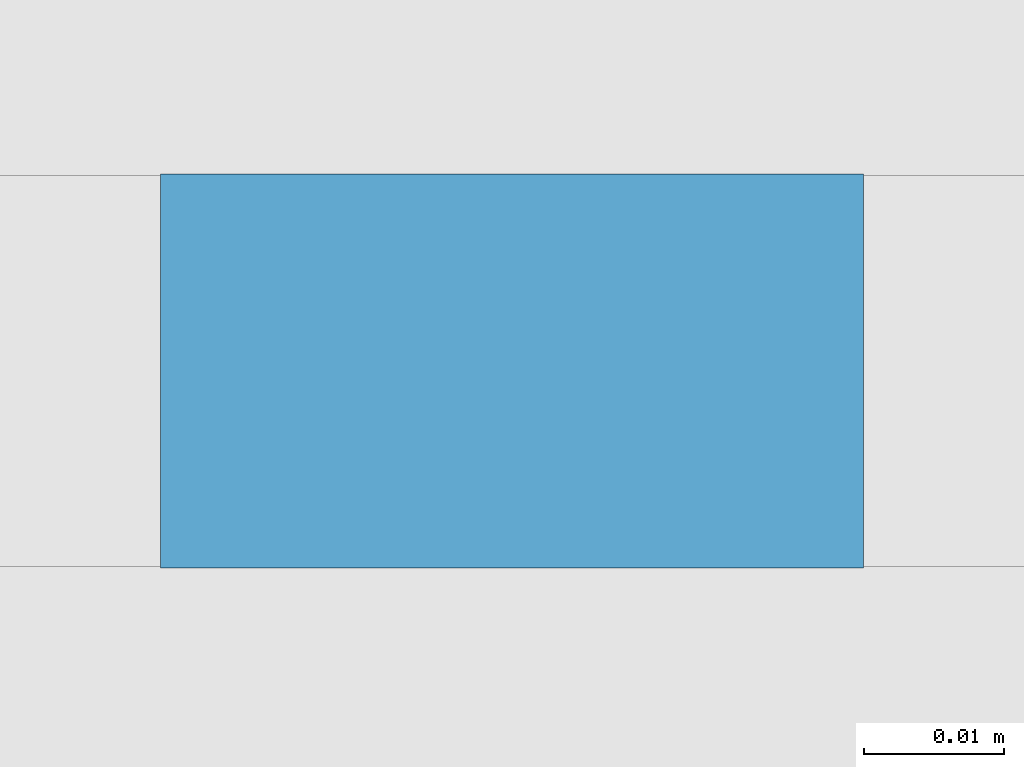
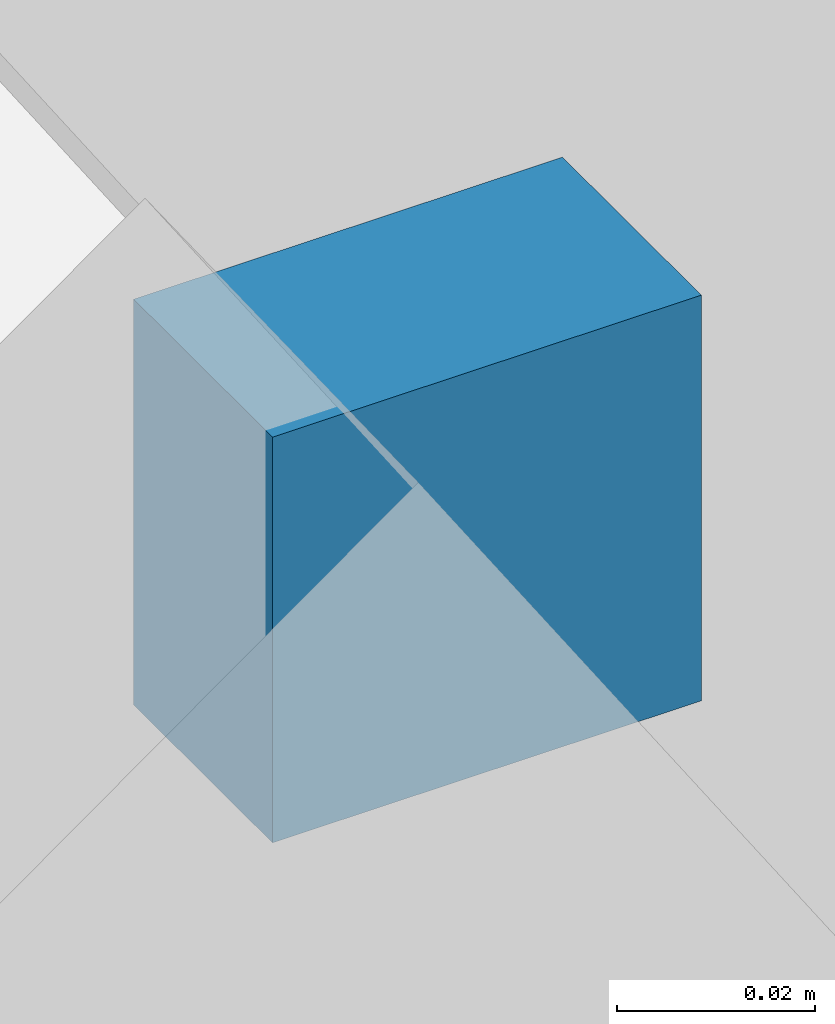
# One storey, part 10 of 12: 1 discrete accessory, 1 element without a shape of its own.
"""IFC4 building model written with IfcOpenShell, lengths in metres."""

from ifc_helpers import new_model, si_unit, direction, frame, origin, origin_2d, place, context, subcontext, project, spatial, rectangle, extrude, material, type_object, element, aggregate, save


model = new_model("IFC4")

# Units and contexts
model_context = context("Model", 3, precision=1e-05, world=origin(), true_north=direction((0.0, 1.0)))
body_context = subcontext(model_context, "Body", "Model", "MODEL_VIEW")
ifc_project = project(units=[si_unit("LENGTHUNIT", "METRE"), si_unit("AREAUNIT", "SQUARE_METRE"), si_unit("VOLUMEUNIT", "CUBIC_METRE"), si_unit("PLANEANGLEUNIT", "RADIAN"), si_unit("MASSUNIT", "GRAM", prefix="KILO")], contexts=[model_context])

# Site, building, storey
site_placement = place(None, origin())
site = spatial("IfcSite", under=ifc_project, at=site_placement, CompositionType="ELEMENT")
building_placement = place(site_placement, origin())
building = spatial("IfcBuilding", under=site, at=building_placement, Name="Tessera Arch", CompositionType="ELEMENT")
storey_placement = place(building_placement, frame((0.0, 0.0, 207.199951171875)))
storey = spatial("IfcBuildingStorey", under=building, at=storey_placement, Name="L49", CompositionType="ELEMENT", Elevation=207.199951171875)

# Curtain wall, discrete accessory
ifc_material = material(Name="CW3 curtain wall")
curtain_wall_type = type_object("IfcCurtainWallType", Name="CW3 curtain wall", PredefinedType="NOTDEFINED", material=ifc_material)
curtain_wall_placement = place(storey_placement, origin())
curtain_wall = element("IfcCurtainWall", 1, at=curtain_wall_placement, inside=storey, type_object=curtain_wall_type, Name="CW3 curtain wall S27.0/0 L49", PredefinedType="NOTDEFINED")
discrete_accessory_placement = place(storey_placement, frame((13.7099609375, 26.9560546875, 0.2900390625), z_axis=(0.0, 0.0, 1.0), x_axis=(1.0, 0.0, 0.0)))
discrete_accessory = element("IfcDiscreteAccessory", 2, at=discrete_accessory_placement, Name="Glazing bracket", PredefinedType="BRACKET", context=body_context, shape_type="SweptSolid", body=[
    extrude(rectangle(XDim=0.050048828125, YDim=0.028076171875, at=origin_2d()), origin(), (0.0, 0.0, 1.0), 0.050048828125),
])
aggregate(curtain_wall, [discrete_accessory])

save(model, "model.ifc")
